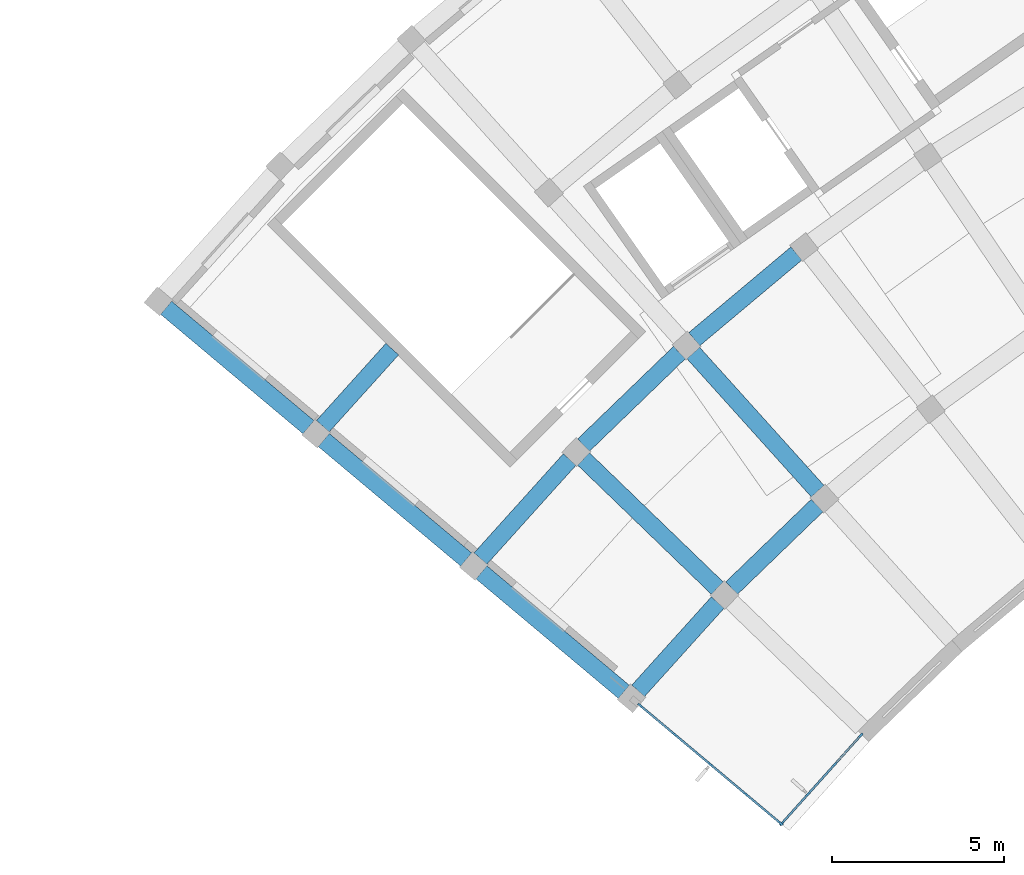
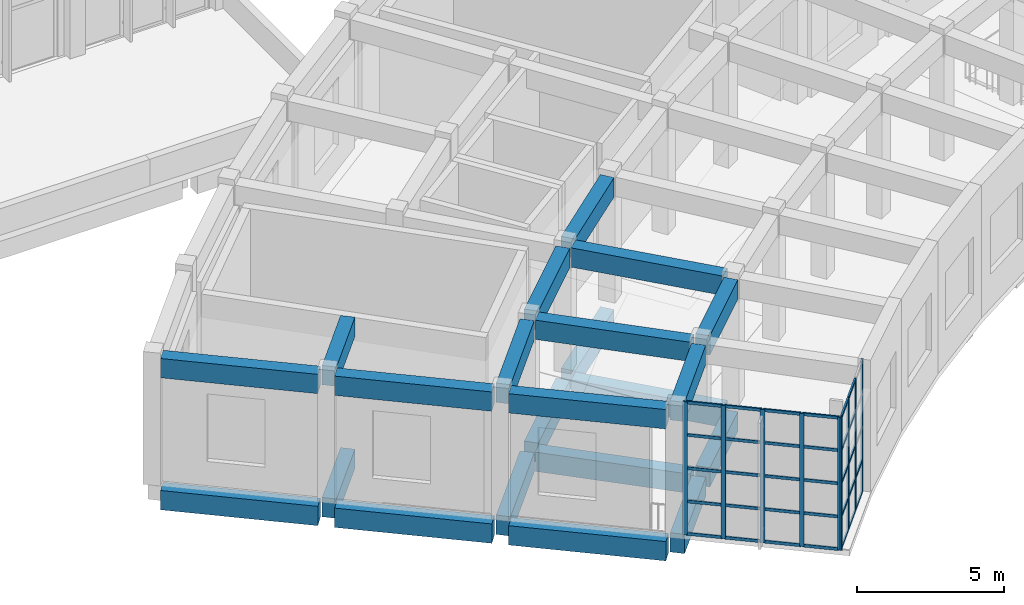
# One storey, part 2 of 94: 41 members, 22 beams, 2 elements without a shape of their own.
"""IFC4 building model written with IfcOpenShell, lengths in metres."""

import ifcopenshell
import ifcopenshell.guid

model = None  # the IFC model being written
_history = None  # IfcOwnerHistory: only IFC2X3 demands one
_inside = {}  # id of a spatial element -> (the spatial element, [elements in it])
_under = {}  # id of a project, library or spatial element -> (it, [spatial elements below it])
_declared = {}  # id of a project -> (the project, [libraries it declares])
_typed = {}  # id of a type object -> (the type object, [elements of that type])
_made_of = {}  # id of a material, layer set ... -> (it, [elements and type objects made of it])


def new_model(schema):
    """Start an empty IFC model of exactly this schema.

    Asked for "IFC4X3", IfcOpenShell would pick the latest addendum, in which some entities
    have other attributes; the version numbers below select the first issue.
    IFC2X3 requires an IfcOwnerHistory on every rooted entity: one is made here for all.
    """
    global model, _history
    if schema == "IFC4X3":
        model = ifcopenshell.file(schema_version=(4, 3, 0, 0))
    else:
        model = ifcopenshell.file(schema=schema)
    _inside.clear()
    _under.clear()
    _declared.clear()
    _typed.clear()
    _made_of.clear()
    _history = None
    if model.schema == "IFC2X3":
        org = make("IfcOrganization", Name="unknown")
        user = make(
            "IfcPersonAndOrganization",
            ThePerson=make("IfcPerson", FamilyName="unknown"),
            TheOrganization=org,
        )
        app = make(
            "IfcApplication",
            ApplicationDeveloper=org,
            Version="unknown",
            ApplicationFullName="unknown",
            ApplicationIdentifier="unknown",
        )
        _history = make(
            "IfcOwnerHistory",
            OwningUser=user,
            OwningApplication=app,
            ChangeAction="ADDED",
            CreationDate=0,
        )
    return model


def make(cls, **values):
    """One entity of the class cls with the attributes given. An attribute that is None is left unset."""
    return model.create_entity(
        cls, **{name: value for name, value in values.items() if value is not None}
    )


def rooted(cls, **values):
    """An entity with a GlobalId (a new one), such as an element, a storey or a relation."""
    return make(cls, GlobalId=ifcopenshell.guid.new(), OwnerHistory=_history, **values)


def si_unit(unit_type, name, prefix=None):
    """IfcSIUnit, for example si_unit("LENGTHUNIT", "METRE", prefix="MILLI")."""
    return make("IfcSIUnit", UnitType=unit_type, Prefix=prefix, Name=name)


def assignment(units):
    """IfcUnitAssignment: the units of a project."""
    return None if units is None else make("IfcUnitAssignment", Units=units)


def point(xyz):
    """IfcCartesianPoint."""
    return None if xyz is None else make("IfcCartesianPoint", Coordinates=xyz)


def direction(xyz):
    """IfcDirection."""
    return None if xyz is None else make("IfcDirection", DirectionRatios=xyz)


def frame(location, z_axis=None, x_axis=None):
    """IfcAxis2Placement3D, a coordinate frame: its origin and axes. An axis left out is left unset."""
    return make(
        "IfcAxis2Placement3D",
        Location=point(location),
        Axis=direction(z_axis),
        RefDirection=direction(x_axis),
    )


def frame_2d(location, x_axis=None):
    """IfcAxis2Placement2D, a coordinate frame in the plane: its origin and x axis."""
    return make(
        "IfcAxis2Placement2D", Location=point(location), RefDirection=direction(x_axis)
    )


def origin():
    """The frame at (0, 0, 0) with its axes left unset."""
    return frame((0.0, 0.0, 0.0))


def origin_2d():
    """The frame at (0, 0) in the plane with its x axis left unset."""
    return frame_2d((0.0, 0.0))


def place(relative_to, where):
    """IfcLocalPlacement: puts the frame where relative to a parent placement (None: the world)."""
    return make(
        "IfcLocalPlacement", PlacementRelTo=relative_to, RelativePlacement=where
    )


def context(
    kind, dimensions, precision=None, world=None, true_north=None, identifier=None
):
    """IfcGeometricRepresentationContext, for example the 3D "Model" context."""
    return make(
        "IfcGeometricRepresentationContext",
        ContextIdentifier=identifier,
        ContextType=kind,
        CoordinateSpaceDimension=dimensions,
        Precision=precision,
        WorldCoordinateSystem=world,
        TrueNorth=true_north,
    )


def subcontext(parent, identifier, kind, view, scale=None):
    """IfcGeometricRepresentationSubContext, for example "Body" below "Model"."""
    return make(
        "IfcGeometricRepresentationSubContext",
        ContextIdentifier=identifier,
        ContextType=kind,
        ParentContext=parent,
        TargetScale=scale,
        TargetView=view,
    )


def project(units=None, contexts=None):
    """IfcProject with its units and contexts."""
    return rooted(
        "IfcProject",
        Name="project",
        RepresentationContexts=contexts,
        UnitsInContext=assignment(units),
    )


def spatial(cls, under=None, at=None, **own):
    """A site, building, storey or space (cls), placed at a placement, below another one or the project."""
    s = rooted(cls, ObjectPlacement=at, **own)
    if under is not None:
        _under.setdefault(under.id(), (under, []))[1].append(s)
    return s


def profile(cls, at=None, kind="AREA", **sizes):
    """A parametric profile (cls). Its sizes go by their IFC names, for example OverallWidth=200.0."""
    return make(cls, ProfileType=kind, Position=at, **sizes)


def rectangle(**sizes):
    """IfcRectangleProfileDef."""
    return profile("IfcRectangleProfileDef", **sizes)


def extrude(swept, where, along, depth):
    """IfcExtrudedAreaSolid: the profile swept, set in the frame where, extruded along a direction by depth."""
    return make(
        "IfcExtrudedAreaSolid",
        SweptArea=swept,
        Position=where,
        ExtrudedDirection=direction(along),
        Depth=depth,
    )


def shape(context_of_items, identifier, shape_type, items):
    """IfcShapeRepresentation: the items that make up one representation, for example the "Body"."""
    return make(
        "IfcShapeRepresentation",
        ContextOfItems=context_of_items,
        RepresentationIdentifier=identifier,
        RepresentationType=shape_type,
        Items=items,
    )


def material(Name=None, Category=None):
    """IfcMaterial."""
    return make("IfcMaterial", Name=Name, Category=Category)


def layer(
    of_material, thickness, ventilated=None, Name=None, Category=None, Priority=None
):
    """IfcMaterialLayer: one layer of a wall or slab, of a material (None: an air gap)."""
    return make(
        "IfcMaterialLayer",
        Material=of_material,
        LayerThickness=thickness,
        IsVentilated=ventilated,
        Name=Name,
        Category=Category,
        Priority=Priority,
    )


def layer_set(layers, Name=None):
    """IfcMaterialLayerSet."""
    return make("IfcMaterialLayerSet", MaterialLayers=layers, LayerSetName=Name)


def material_profile(
    of_material, cross_section, Name=None, Category=None, Priority=None
):
    """IfcMaterialProfile: a cross section and its material."""
    return make(
        "IfcMaterialProfile",
        Name=Name,
        Material=of_material,
        Profile=cross_section,
        Priority=Priority,
        Category=Category,
    )


def profile_set(profiles, Name=None, composite=None):
    """IfcMaterialProfileSet."""
    return make(
        "IfcMaterialProfileSet",
        Name=Name,
        MaterialProfiles=profiles,
        CompositeProfile=composite,
    )


def made_of(thing, what):
    """Note that an element or type object is made of a material, layer set ...; save() writes the relation."""
    if what is not None:
        _made_of.setdefault(what.id(), (what, []))[1].append(thing)
    return thing


def type_object(cls, material=None, **own):
    """A type object (cls), such as IfcWallType, which elements share."""
    return made_of(rooted(cls, **own), material)


def element(
    cls,
    number,
    at=None,
    inside=None,
    cuts=None,
    type_object=None,
    material=None,
    context=None,
    identifier="Body",
    shape_type=None,
    held_by="IfcProductDefinitionShape",
    body=None,
    shapes=None,
    **own,
):
    """One element of the class cls, such as IfcWall. Its Tag is "e" and its number.

    at: its placement. inside: the storey or other place that contains it. cuts: it is an
    opening in that element (IfcRelVoidsElement). A single representation is given by context,
    identifier, shape_type and body (its items); several are given by shapes. held_by: the class
    of the entity that holds the representations. save() writes the other relations.
    """
    e = rooted(cls, Tag="e%d" % number, ObjectPlacement=at, **own)
    if body is not None:
        shapes = [shape(context, identifier, shape_type, body)]
    if shapes is not None:
        e.Representation = make(held_by, Representations=shapes)
    if inside is not None:
        _inside.setdefault(inside.id(), (inside, []))[1].append(e)
    if cuts is not None:
        rooted(
            "IfcRelVoidsElement", RelatingBuildingElement=cuts, RelatedOpeningElement=e
        )
    if type_object is not None:
        _typed.setdefault(type_object.id(), (type_object, []))[1].append(e)
    return made_of(e, material)


def aggregate(whole, parts):
    """IfcRelAggregates: a whole, such as a stair, and the parts it consists of."""
    return rooted("IfcRelAggregates", RelatingObject=whole, RelatedObjects=parts)


def save(model, path):
    """Write the relations noted so far, then the file.

    IfcRelAggregates (storeys below a building ...), IfcRelContainedInSpatialStructure (elements
    in a storey), IfcRelDefinesByType, IfcRelAssociatesMaterial and IfcRelDeclares: one each for
    every whole, place, type object, material and project.
    """
    for whole, parts in _under.values():
        aggregate(whole, parts)
    for where, things in _inside.values():
        rooted(
            "IfcRelContainedInSpatialStructure",
            RelatedElements=things,
            RelatingStructure=where,
        )
    for kind, things in _typed.values():
        rooted("IfcRelDefinesByType", RelatedObjects=things, RelatingType=kind)
    for what, things in _made_of.values():
        rooted("IfcRelAssociatesMaterial", RelatedObjects=things, RelatingMaterial=what)
    for by, libraries in _declared.values():
        rooted("IfcRelDeclares", RelatingContext=by, RelatedDefinitions=libraries)
    model.write(path)


model = new_model("IFC4")

# Units and contexts
model_context = context("Model", 3, precision=1e-05, world=origin(), true_north=direction((0.0, 1.0)))
body_context = subcontext(model_context, "Body", "Model", "MODEL_VIEW")
ifc_project = project(units=[si_unit("LENGTHUNIT", "METRE"), si_unit("AREAUNIT", "SQUARE_METRE"), si_unit("VOLUMEUNIT", "CUBIC_METRE"), si_unit("PLANEANGLEUNIT", "RADIAN"), si_unit("MASSUNIT", "GRAM", prefix="KILO")], contexts=[model_context])

# Site, building, storey
site_placement = place(None, origin())
site = spatial("IfcSite", under=ifc_project, at=site_placement, CompositionType="ELEMENT")
building_placement = place(site_placement, origin())
building = spatial("IfcBuilding", under=site, at=building_placement, Name="Lunette Opera House", CompositionType="ELEMENT")
storey_placement = place(building_placement, frame((0.0, 0.0, 22.5)))
storey = spatial("IfcBuildingStorey", under=building, at=storey_placement, Name="L04", CompositionType="ELEMENT", Elevation=22.5)

# Curtain wall, members
ifc_material_1 = material(Name="Aluminium", Category="aluminium")
ifc_layer = layer(ifc_material_1, 0.159912109375)
ifc_layer_set = layer_set([ifc_layer], Name="Aluminium")
curtain_wall_type = type_object("IfcCurtainWallType", Name="CORNER CURTAIN WALL", PredefinedType="NOTDEFINED", material=ifc_layer_set)
curtain_wall_1_placement = place(storey_placement, origin())
curtain_wall_1 = element("IfcCurtainWall", 1, at=curtain_wall_1_placement, inside=storey, type_object=curtain_wall_type, Name="Corner Curtain Wall GC-W1 L04", PredefinedType="NOTDEFINED")
ifc_material_2 = material(Name="Aluminium", Category="aluminium")
ifc_material_profile_1 = material_profile(ifc_material_2, rectangle(XDim=0.06005859375, YDim=0.159912109375, at=origin_2d()), Name="MULLION 60 X 160")
ifc_profile_set_1 = profile_set([ifc_material_profile_1], Name="Aluminium")
member_type_1 = type_object("IfcMemberType", Name="MULLION 60 X 160", PredefinedType="MULLION", material=ifc_profile_set_1)
member_1_placement = place(storey_placement, frame((58.25390625, 36.20068359375, 0.0), z_axis=(0.0, 0.0, 1.0), x_axis=(0.744216793887, -0.667938143615, 0.0)))
member_1 = element("IfcMember", 2, at=member_1_placement, type_object=member_type_1, Name="FC-X2169 mullion 1", PredefinedType="MULLION", context=body_context, shape_type="SweptSolid", body=[
    extrude(rectangle(XDim=0.06005859375, YDim=0.159912109375, at=origin_2d()), origin(), (0.0, 0.0, 1.0), 5.5),
])
member_2_placement = place(storey_placement, frame((57.49462890625, 35.354736328125, 0.0), z_axis=(0.0, 0.0, 1.0), x_axis=(0.744216793887, -0.667938143615, 0.0)))
member_2 = element("IfcMember", 3, at=member_2_placement, type_object=member_type_1, Name="FC-X2169 mullion 2", PredefinedType="MULLION", context=body_context, shape_type="SweptSolid", body=[
    extrude(rectangle(XDim=0.06005859375, YDim=0.159912109375, at=origin_2d()), origin(), (0.0, 0.0, 1.0), 5.5),
])
member_3_placement = place(storey_placement, frame((56.71533203125, 34.486328125, 0.0), z_axis=(0.0, 0.0, 1.0), x_axis=(0.744216793887, -0.667938143615, 0.0)))
member_3 = element("IfcMember", 4, at=member_3_placement, type_object=member_type_1, Name="FC-X2169 mullion 3", PredefinedType="MULLION", context=body_context, shape_type="SweptSolid", body=[
    extrude(rectangle(XDim=0.06005859375, YDim=0.159912109375, at=origin_2d()), origin(), (0.0, 0.0, 1.0), 5.5),
])
member_4_placement = place(storey_placement, frame((55.9560546875, 33.640380859375, 0.0), z_axis=(0.0, 0.0, 1.0), x_axis=(0.744216793887, -0.667938143615, 0.0)))
member_4 = element("IfcMember", 5, at=member_4_placement, type_object=member_type_1, Name="FC-X2169 mullion 4", PredefinedType="MULLION", context=body_context, shape_type="SweptSolid", body=[
    extrude(rectangle(XDim=0.06005859375, YDim=0.159912109375, at=origin_2d()), origin(), (0.0, 0.0, 1.0), 5.5),
])

curtain_wall_2_placement = place(storey_placement, origin())
curtain_wall_2 = element("IfcCurtainWall", 6, at=curtain_wall_2_placement, inside=storey, type_object=curtain_wall_type, Name="Corner Curtain Wall GC-W2 L04", PredefinedType="NOTDEFINED")
member_5_placement = place(storey_placement, frame((55.9130859375, 33.63720703125, 0.0), z_axis=(0.0, 0.0, 1.0), x_axis=(-0.642840201999, -0.766000309852, 0.0)))
member_5 = element("IfcMember", 7, at=member_5_placement, type_object=member_type_1, Name="FC-X2170 mullion 1", PredefinedType="MULLION", context=body_context, shape_type="SweptSolid", body=[
    extrude(rectangle(XDim=0.06005859375, YDim=0.159912109375, at=origin_2d()), origin(), (0.0, 0.0, 1.0), 5.5),
])
member_6_placement = place(storey_placement, frame((54.902099609375, 34.48583984375, 0.0), z_axis=(0.0, 0.0, 1.0), x_axis=(-0.642840201999, -0.766000309852, 0.0)))
member_6 = element("IfcMember", 8, at=member_6_placement, type_object=member_type_1, Name="FC-X2170 mullion 2", PredefinedType="MULLION", context=body_context, shape_type="SweptSolid", body=[
    extrude(rectangle(XDim=0.06005859375, YDim=0.159912109375, at=origin_2d()), origin(), (0.0, 0.0, 1.0), 5.5),
])
member_7_placement = place(storey_placement, frame((53.867919921875, 35.353515625, 0.0), z_axis=(0.0, 0.0, 1.0), x_axis=(-0.642840201999, -0.766000309852, 0.0)))
member_7 = element("IfcMember", 9, at=member_7_placement, type_object=member_type_1, Name="FC-X2170 mullion 3", PredefinedType="MULLION", context=body_context, shape_type="SweptSolid", body=[
    extrude(rectangle(XDim=0.06005859375, YDim=0.159912109375, at=origin_2d()), origin(), (0.0, 0.0, 1.0), 5.5),
])
member_8_placement = place(storey_placement, frame((52.833984375, 36.22119140625, 0.0), z_axis=(0.0, 0.0, 1.0), x_axis=(-0.642840201999, -0.766000309852, 0.0)))
member_8 = element("IfcMember", 10, at=member_8_placement, type_object=member_type_1, Name="FC-X2170 mullion 4", PredefinedType="MULLION", context=body_context, shape_type="SweptSolid", body=[
    extrude(rectangle(XDim=0.06005859375, YDim=0.159912109375, at=origin_2d()), origin(), (0.0, 0.0, 1.0), 5.5),
])
member_9_placement = place(storey_placement, frame((51.822998046875, 37.06982421875, 0.0), z_axis=(0.0, 0.0, 1.0), x_axis=(-0.642840201999, -0.766000309852, 0.0)))
member_9 = element("IfcMember", 11, at=member_9_placement, type_object=member_type_1, Name="FC-X2170 mullion 5", PredefinedType="MULLION", context=body_context, shape_type="SweptSolid", body=[
    extrude(rectangle(XDim=0.06005859375, YDim=0.159912109375, at=origin_2d()), origin(), (0.0, 0.0, 1.0), 5.5),
])

# Beams
ifc_material_3 = material(Name="Concrete C35/45", Category="concrete")
ifc_material_profile_2 = material_profile(ifc_material_3, rectangle(XDim=0.5, YDim=0.800048828125, at=origin_2d()), Name="RC BEAM 500X800")
ifc_profile_set_2 = profile_set([ifc_material_profile_2], Name="Concrete C35/45")
beam_type = type_object("IfcBeamType", Name="RC BEAM 500X800", PredefinedType="BEAM", material=ifc_profile_set_2)
beam_1_placement = place(storey_placement, frame((51.346923828125, 37.468017578125, -0.6201171875), z_axis=(-0.766038417281, 0.642794790932, 0.0), x_axis=(-0.642794790932, -0.766038417281, 0.0)))
element("IfcBeam", 12, at=beam_1_placement, inside=storey, type_object=beam_type, Name="beam-FC-L04-L04-RB-RL-01-2", PredefinedType="BEAM", context=body_context, shape_type="SweptSolid", body=[
    extrude(rectangle(XDim=0.5, YDim=0.800048828125, at=origin_2d()), origin(), (0.0, 0.0, 1.0), 5.419921875),
])
beam_2_placement = place(storey_placement, frame((46.7509765625, 41.324951171875, -0.6201171875), z_axis=(-0.76601623697, 0.642821222968, 0.0), x_axis=(-0.642821222968, -0.76601623697, 0.0)))
element("IfcBeam", 13, at=beam_2_placement, inside=storey, type_object=beam_type, Name="beam-FC-L04-L04-RB-RL-01-3", PredefinedType="BEAM", context=body_context, shape_type="SweptSolid", body=[
    extrude(rectangle(XDim=0.5, YDim=0.800048828125, at=origin_2d()), origin(), (0.0, 0.0, 1.0), 5.420166015625),
])
beam_3_placement = place(storey_placement, frame((42.155029296875, 45.181884765625, -0.6201171875), z_axis=(-0.766123568509, 0.64269329993, 0.0), x_axis=(-0.64269329993, -0.766123568509, 0.0)))
element("IfcBeam", 14, at=beam_3_placement, inside=storey, type_object=beam_type, Name="beam-FC-L04-L04-RB-RL-01-4", PredefinedType="BEAM", context=body_context, shape_type="SweptSolid", body=[
    extrude(rectangle(XDim=0.5, YDim=0.800048828125, at=origin_2d()), origin(), (0.0, 0.0, 1.0), 5.419677734375),
])
beam_4_placement = place(storey_placement, frame((54.070068359375, 40.491943359375, -0.6201171875), z_axis=(-0.719362654248, 0.694634703764, 0.0), x_axis=(-0.694634703764, -0.719362654248, 0.0)))
element("IfcBeam", 15, at=beam_4_placement, inside=storey, type_object=beam_type, Name="beam-FC-L04-L04-RB-RL-02-2", PredefinedType="BEAM", context=body_context, shape_type="SweptSolid", body=[
    extrude(rectangle(XDim=0.5, YDim=0.800048828125, at=origin_2d()), origin(), (0.0, 0.0, 1.0), 5.42041015625),
])
beam_5_placement = place(storey_placement, frame((56.99609375, 43.318115234375, -0.6201171875), z_axis=(-0.669059303024, 0.743209021095, 0.0), x_axis=(-0.743209021095, -0.669059303024, 0.0)))
element("IfcBeam", 16, at=beam_5_placement, inside=storey, type_object=beam_type, Name="beam-FC-L04-L04-RB-RL-03-2", PredefinedType="BEAM", context=body_context, shape_type="SweptSolid", body=[
    extrude(rectangle(XDim=0.5, YDim=0.800048828125, at=origin_2d()), origin(), (0.0, 0.0, 1.0), 5.41943359375),
])
beam_6_placement = place(storey_placement, frame((51.762939453125, 37.498046875, -0.6201171875), z_axis=(0.66939642039, 0.742905399341, 0.0), x_axis=(-0.742905399341, 0.66939642039, 0.0)))
element("IfcBeam", 17, at=beam_6_placement, inside=storey, type_object=beam_type, Name="beam-FC-L04-L04-RG-AR-M1-RL-01", PredefinedType="BEAM", context=body_context, shape_type="SweptSolid", body=[
    extrude(rectangle(XDim=0.5, YDim=0.800048828125, at=origin_2d()), origin(), (0.0, 0.0, 1.0), 3.46728515625),
])
beam_7_placement = place(storey_placement, frame((54.487060546875, 40.491943359375, -0.6201171875), z_axis=(0.719392966206, 0.694603311375, 0.0), x_axis=(-0.694603311375, 0.719392966206, 0.0)))
element("IfcBeam", 18, at=beam_7_placement, inside=storey, type_object=beam_type, Name="beam-FC-L04-L04-RG-AR-M1-RL-02", PredefinedType="BEAM", context=body_context, shape_type="SweptSolid", body=[
    extrude(rectangle(XDim=0.5, YDim=0.800048828125, at=origin_2d()), origin(), (0.0, 0.0, 1.0), 3.466552734375),
])
beam_8_placement = place(storey_placement, frame((47.1669921875, 41.35400390625, -0.6201171875), z_axis=(0.669238854245, 0.743047344365, 0.0), x_axis=(-0.743047344365, 0.669238854245, 0.0)))
element("IfcBeam", 19, at=beam_8_placement, inside=storey, type_object=beam_type, Name="beam-FC-L04-L04-RG-AR-B-RL-01", PredefinedType="BEAM", context=body_context, shape_type="SweptSolid", body=[
    extrude(rectangle(XDim=0.5, YDim=0.800048828125, at=origin_2d()), origin(), (0.0, 0.0, 1.0), 3.88671875),
])
beam_9_placement = place(storey_placement, frame((50.1708984375, 44.659912109375, -0.6201171875), z_axis=(0.719497793306, 0.694494726709, 0.0), x_axis=(-0.694494726709, 0.719497793306, 0.0)))
element("IfcBeam", 20, at=beam_9_placement, inside=storey, type_object=beam_type, Name="beam-FC-L04-L04-RG-AR-B-RL-02", PredefinedType="BEAM", context=body_context, shape_type="SweptSolid", body=[
    extrude(rectangle(XDim=0.5, YDim=0.800048828125, at=origin_2d()), origin(), (0.0, 0.0, 1.0), 3.88623046875),
])
beam_10_placement = place(storey_placement, frame((53.39794921875, 47.748046875, -0.6201171875), z_axis=(0.76614764774, 0.642664595153, 0.0), x_axis=(-0.642664595153, 0.76614764774, 0.0)))
element("IfcBeam", 21, at=beam_10_placement, inside=storey, type_object=beam_type, Name="beam-FC-L04-L04-RG-AR-B-RL-03", PredefinedType="BEAM", context=body_context, shape_type="SweptSolid", body=[
    extrude(rectangle(XDim=0.5, YDim=0.800048828125, at=origin_2d()), origin(), (0.0, 0.0, 1.0), 3.886962890625),
])
beam_11_placement = place(storey_placement, frame((42.571044921875, 45.2109375, -0.6201171875), z_axis=(0.66908957812, 0.743181765419, 0.0), x_axis=(-0.743181765419, 0.66908957812, 0.0)))
element("IfcBeam", 22, at=beam_11_placement, inside=storey, type_object=beam_type, Name="beam-FC-L04-L04-RG-AR-M2-RL-01", PredefinedType="BEAM", context=body_context, shape_type="SweptSolid", body=[
    extrude(rectangle(XDim=0.5, YDim=0.800048828125, at=origin_2d()), origin(), (0.0, 0.0, 1.0), 3.02490234375),
])
beam_12_placement = place(storey_placement, frame((51.346923828125, 37.468017578125, 4.85009765625), z_axis=(-0.766038417281, 0.642794790932, 0.0), x_axis=(-0.642794790932, -0.766038417281, 0.0)))
element("IfcBeam", 23, at=beam_12_placement, inside=storey, type_object=beam_type, Name="beam-FC-L04-RF-RB-RL-01-2", PredefinedType="BEAM", context=body_context, shape_type="SweptSolid", body=[
    extrude(rectangle(XDim=0.5, YDim=0.800048828125, at=origin_2d()), origin(), (0.0, 0.0, 1.0), 5.419921875),
])
beam_13_placement = place(storey_placement, frame((46.7509765625, 41.324951171875, 4.85009765625), z_axis=(-0.76601623697, 0.642821222968, 0.0), x_axis=(-0.642821222968, -0.76601623697, 0.0)))
element("IfcBeam", 24, at=beam_13_placement, inside=storey, type_object=beam_type, Name="beam-FC-L04-RF-RB-RL-01-3", PredefinedType="BEAM", context=body_context, shape_type="SweptSolid", body=[
    extrude(rectangle(XDim=0.5, YDim=0.800048828125, at=origin_2d()), origin(), (0.0, 0.0, 1.0), 5.420166015625),
])
beam_14_placement = place(storey_placement, frame((42.155029296875, 45.181884765625, 4.85009765625), z_axis=(-0.766123568509, 0.64269329993, 0.0), x_axis=(-0.64269329993, -0.766123568509, 0.0)))
element("IfcBeam", 25, at=beam_14_placement, inside=storey, type_object=beam_type, Name="beam-FC-L04-RF-RB-RL-01-4", PredefinedType="BEAM", context=body_context, shape_type="SweptSolid", body=[
    extrude(rectangle(XDim=0.5, YDim=0.800048828125, at=origin_2d()), origin(), (0.0, 0.0, 1.0), 5.419677734375),
])
beam_15_placement = place(storey_placement, frame((54.070068359375, 40.491943359375, 4.85009765625), z_axis=(-0.719362654248, 0.694634703764, 0.0), x_axis=(-0.694634703764, -0.719362654248, 0.0)))
element("IfcBeam", 26, at=beam_15_placement, inside=storey, type_object=beam_type, Name="beam-FC-L04-RF-RB-RL-02-2", PredefinedType="BEAM", context=body_context, shape_type="SweptSolid", body=[
    extrude(rectangle(XDim=0.5, YDim=0.800048828125, at=origin_2d()), origin(), (0.0, 0.0, 1.0), 5.42041015625),
])
beam_16_placement = place(storey_placement, frame((56.99609375, 43.318115234375, 4.85009765625), z_axis=(-0.669059303024, 0.743209021095, 0.0), x_axis=(-0.743209021095, -0.669059303024, 0.0)))
element("IfcBeam", 27, at=beam_16_placement, inside=storey, type_object=beam_type, Name="beam-FC-L04-RF-RB-RL-03-2", PredefinedType="BEAM", context=body_context, shape_type="SweptSolid", body=[
    extrude(rectangle(XDim=0.5, YDim=0.800048828125, at=origin_2d()), origin(), (0.0, 0.0, 1.0), 5.41943359375),
])
beam_17_placement = place(storey_placement, frame((51.762939453125, 37.498046875, 4.85009765625), z_axis=(0.66939642039, 0.742905399341, 0.0), x_axis=(-0.742905399341, 0.66939642039, 0.0)))
element("IfcBeam", 28, at=beam_17_placement, inside=storey, type_object=beam_type, Name="beam-FC-L04-RF-RG-AR-M1-RL-01", PredefinedType="BEAM", context=body_context, shape_type="SweptSolid", body=[
    extrude(rectangle(XDim=0.5, YDim=0.800048828125, at=origin_2d()), origin(), (0.0, 0.0, 1.0), 3.46728515625),
])
beam_18_placement = place(storey_placement, frame((54.487060546875, 40.491943359375, 4.85009765625), z_axis=(0.719392966206, 0.694603311375, 0.0), x_axis=(-0.694603311375, 0.719392966206, 0.0)))
element("IfcBeam", 29, at=beam_18_placement, inside=storey, type_object=beam_type, Name="beam-FC-L04-RF-RG-AR-M1-RL-02", PredefinedType="BEAM", context=body_context, shape_type="SweptSolid", body=[
    extrude(rectangle(XDim=0.5, YDim=0.800048828125, at=origin_2d()), origin(), (0.0, 0.0, 1.0), 3.466552734375),
])
beam_19_placement = place(storey_placement, frame((47.1669921875, 41.35400390625, 4.85009765625), z_axis=(0.669238854245, 0.743047344365, 0.0), x_axis=(-0.743047344365, 0.669238854245, 0.0)))
element("IfcBeam", 30, at=beam_19_placement, inside=storey, type_object=beam_type, Name="beam-FC-L04-RF-RG-AR-B-RL-01", PredefinedType="BEAM", context=body_context, shape_type="SweptSolid", body=[
    extrude(rectangle(XDim=0.5, YDim=0.800048828125, at=origin_2d()), origin(), (0.0, 0.0, 1.0), 3.88671875),
])
beam_20_placement = place(storey_placement, frame((50.1708984375, 44.659912109375, 4.85009765625), z_axis=(0.719497793306, 0.694494726709, 0.0), x_axis=(-0.694494726709, 0.719497793306, 0.0)))
element("IfcBeam", 31, at=beam_20_placement, inside=storey, type_object=beam_type, Name="beam-FC-L04-RF-RG-AR-B-RL-02", PredefinedType="BEAM", context=body_context, shape_type="SweptSolid", body=[
    extrude(rectangle(XDim=0.5, YDim=0.800048828125, at=origin_2d()), origin(), (0.0, 0.0, 1.0), 3.88623046875),
])
beam_21_placement = place(storey_placement, frame((53.39794921875, 47.748046875, 4.85009765625), z_axis=(0.76614764774, 0.642664595153, 0.0), x_axis=(-0.642664595153, 0.76614764774, 0.0)))
element("IfcBeam", 32, at=beam_21_placement, inside=storey, type_object=beam_type, Name="beam-FC-L04-RF-RG-AR-B-RL-03", PredefinedType="BEAM", context=body_context, shape_type="SweptSolid", body=[
    extrude(rectangle(XDim=0.5, YDim=0.800048828125, at=origin_2d()), origin(), (0.0, 0.0, 1.0), 3.886962890625),
])
beam_22_placement = place(storey_placement, frame((42.571044921875, 45.2109375, 4.85009765625), z_axis=(0.66908957812, 0.743181765419, 0.0), x_axis=(-0.743181765419, 0.66908957812, 0.0)))
element("IfcBeam", 33, at=beam_22_placement, inside=storey, type_object=beam_type, Name="beam-FC-L04-RF-RG-AR-M2-RL-01", PredefinedType="BEAM", context=body_context, shape_type="SweptSolid", body=[
    extrude(rectangle(XDim=0.5, YDim=0.800048828125, at=origin_2d()), origin(), (0.0, 0.0, 1.0), 3.02490234375),
])

# Member
ifc_material_4 = material(Name="Aluminium", Category="aluminium")
ifc_material_profile_3 = material_profile(ifc_material_4, rectangle(XDim=0.06005859375, YDim=0.1201171875, at=origin_2d()), Name="TRANSOM 60 X 120")
ifc_profile_set_3 = profile_set([ifc_material_profile_3], Name="Aluminium")
member_type_2 = type_object("IfcMemberType", Name="TRANSOM 60 X 120", PredefinedType="USERDEFINED", material=ifc_profile_set_3)
member_10_placement = place(storey_placement, frame((58.23388671875, 36.178466796875, 0.030029296875), z_axis=(-0.667874323451, -0.744274067851, 0.0), x_axis=(0.744274067851, -0.667874323451, 0.0)))
member_10 = element("IfcMember", 34, at=member_10_placement, type_object=member_type_2, Name="FC-X2169 transom 1.1", ObjectType="TRANSOM", PredefinedType="USERDEFINED", context=body_context, shape_type="SweptSolid", body=[
    extrude(rectangle(XDim=0.06005859375, YDim=0.1201171875, at=origin_2d()), origin(), (0.0, 0.0, 1.0), 1.076904296875),
])

member_11_placement = place(storey_placement, frame((58.23388671875, 36.178466796875, 1.375), z_axis=(-0.667874323451, -0.744274067851, 0.0), x_axis=(0.744274067851, -0.667874323451, 0.0)))
member_11 = element("IfcMember", 35, at=member_11_placement, type_object=member_type_2, Name="FC-X2169 transom 1.2", ObjectType="TRANSOM", PredefinedType="USERDEFINED", context=body_context, shape_type="SweptSolid", body=[
    extrude(rectangle(XDim=0.06005859375, YDim=0.1201171875, at=origin_2d()), origin(), (0.0, 0.0, 1.0), 1.076904296875),
])

member_12_placement = place(storey_placement, frame((57.474609375, 35.332275390625, 0.030029296875), z_axis=(-0.667916007316, -0.744236660728, 0.0), x_axis=(0.744236660728, -0.667916007316, 0.0)))
member_12 = element("IfcMember", 36, at=member_12_placement, type_object=member_type_2, Name="FC-X2169 transom 2.1", ObjectType="TRANSOM", PredefinedType="USERDEFINED", context=body_context, shape_type="SweptSolid", body=[
    extrude(rectangle(XDim=0.06005859375, YDim=0.1201171875, at=origin_2d()), origin(), (0.0, 0.0, 1.0), 1.10693359375),
])

member_13_placement = place(storey_placement, frame((57.474609375, 35.332275390625, 1.375), z_axis=(-0.667916007316, -0.744236660728, 0.0), x_axis=(0.744236660728, -0.667916007316, 0.0)))
member_13 = element("IfcMember", 37, at=member_13_placement, type_object=member_type_2, Name="FC-X2169 transom 2.2", ObjectType="TRANSOM", PredefinedType="USERDEFINED", context=body_context, shape_type="SweptSolid", body=[
    extrude(rectangle(XDim=0.06005859375, YDim=0.1201171875, at=origin_2d()), origin(), (0.0, 0.0, 1.0), 1.10693359375),
])

member_14_placement = place(storey_placement, frame((57.474609375, 35.332275390625, 2.75), z_axis=(-0.667916007316, -0.744236660728, 0.0), x_axis=(0.744236660728, -0.667916007316, 0.0)))
member_14 = element("IfcMember", 38, at=member_14_placement, type_object=member_type_2, Name="FC-X2169 transom 2.3", ObjectType="TRANSOM", PredefinedType="USERDEFINED", context=body_context, shape_type="SweptSolid", body=[
    extrude(rectangle(XDim=0.06005859375, YDim=0.1201171875, at=origin_2d()), origin(), (0.0, 0.0, 1.0), 1.10693359375),
])

member_15_placement = place(storey_placement, frame((57.474609375, 35.332275390625, 4.125), z_axis=(-0.667916007316, -0.744236660728, 0.0), x_axis=(0.744236660728, -0.667916007316, 0.0)))
member_15 = element("IfcMember", 39, at=member_15_placement, type_object=member_type_2, Name="FC-X2169 transom 2.4", ObjectType="TRANSOM", PredefinedType="USERDEFINED", context=body_context, shape_type="SweptSolid", body=[
    extrude(rectangle(XDim=0.06005859375, YDim=0.1201171875, at=origin_2d()), origin(), (0.0, 0.0, 1.0), 1.10693359375),
])

member_16_placement = place(storey_placement, frame((57.474609375, 35.332275390625, 5.469970703125), z_axis=(-0.667916007316, -0.744236660728, 0.0), x_axis=(0.744236660728, -0.667916007316, 0.0)))
member_16 = element("IfcMember", 40, at=member_16_placement, type_object=member_type_2, Name="FC-X2169 transom 2.5", ObjectType="TRANSOM", PredefinedType="USERDEFINED", context=body_context, shape_type="SweptSolid", body=[
    extrude(rectangle(XDim=0.06005859375, YDim=0.1201171875, at=origin_2d()), origin(), (0.0, 0.0, 1.0), 1.10693359375),
])

member_17_placement = place(storey_placement, frame((56.6953125, 34.464111328125, 0.030029296875), z_axis=(-0.667874323451, -0.744274067851, 0.0), x_axis=(0.744274067851, -0.667874323451, 0.0)))
member_17 = element("IfcMember", 41, at=member_17_placement, type_object=member_type_2, Name="FC-X2169 transom 3.1", ObjectType="TRANSOM", PredefinedType="USERDEFINED", context=body_context, shape_type="SweptSolid", body=[
    extrude(rectangle(XDim=0.06005859375, YDim=0.1201171875, at=origin_2d()), origin(), (0.0, 0.0, 1.0), 1.076904296875),
])

member_18_placement = place(storey_placement, frame((56.6953125, 34.464111328125, 1.375), z_axis=(-0.667874323451, -0.744274067851, 0.0), x_axis=(0.744274067851, -0.667874323451, 0.0)))
member_18 = element("IfcMember", 42, at=member_18_placement, type_object=member_type_2, Name="FC-X2169 transom 3.2", ObjectType="TRANSOM", PredefinedType="USERDEFINED", context=body_context, shape_type="SweptSolid", body=[
    extrude(rectangle(XDim=0.06005859375, YDim=0.1201171875, at=origin_2d()), origin(), (0.0, 0.0, 1.0), 1.076904296875),
])

member_19_placement = place(storey_placement, frame((56.6953125, 34.464111328125, 2.75), z_axis=(-0.667874323451, -0.744274067851, 0.0), x_axis=(0.744274067851, -0.667874323451, 0.0)))
member_19 = element("IfcMember", 43, at=member_19_placement, type_object=member_type_2, Name="FC-X2169 transom 3.3", ObjectType="TRANSOM", PredefinedType="USERDEFINED", context=body_context, shape_type="SweptSolid", body=[
    extrude(rectangle(XDim=0.06005859375, YDim=0.1201171875, at=origin_2d()), origin(), (0.0, 0.0, 1.0), 1.076904296875),
])

member_20_placement = place(storey_placement, frame((56.6953125, 34.464111328125, 4.125), z_axis=(-0.667874323451, -0.744274067851, 0.0), x_axis=(0.744274067851, -0.667874323451, 0.0)))
member_20 = element("IfcMember", 44, at=member_20_placement, type_object=member_type_2, Name="FC-X2169 transom 3.4", ObjectType="TRANSOM", PredefinedType="USERDEFINED", context=body_context, shape_type="SweptSolid", body=[
    extrude(rectangle(XDim=0.06005859375, YDim=0.1201171875, at=origin_2d()), origin(), (0.0, 0.0, 1.0), 1.076904296875),
])

member_21_placement = place(storey_placement, frame((56.6953125, 34.464111328125, 5.469970703125), z_axis=(-0.667874323451, -0.744274067851, 0.0), x_axis=(0.744274067851, -0.667874323451, 0.0)))
member_21 = element("IfcMember", 45, at=member_21_placement, type_object=member_type_2, Name="FC-X2169 transom 3.5", ObjectType="TRANSOM", PredefinedType="USERDEFINED", context=body_context, shape_type="SweptSolid", body=[
    extrude(rectangle(XDim=0.06005859375, YDim=0.1201171875, at=origin_2d()), origin(), (0.0, 0.0, 1.0), 1.076904296875),
])

aggregate(curtain_wall_1, [member_1, member_2, member_3, member_4, member_10, member_11, member_12, member_13, member_14, member_15, member_16, member_17, member_18, member_19, member_20, member_21])

member_22_placement = place(storey_placement, frame((55.89013671875, 33.656494140625, 0.030029296875), z_axis=(-0.765945288288, 0.642905759307, 0.0), x_axis=(-0.642905759307, -0.765945288288, 0.0)))
member_22 = element("IfcMember", 46, at=member_22_placement, type_object=member_type_2, Name="FC-X2170 transom 1.1", ObjectType="TRANSOM", PredefinedType="USERDEFINED", context=body_context, shape_type="SweptSolid", body=[
    extrude(rectangle(XDim=0.06005859375, YDim=0.1201171875, at=origin_2d()), origin(), (0.0, 0.0, 1.0), 1.260009765625),
])

member_23_placement = place(storey_placement, frame((55.89013671875, 33.656494140625, 1.375), z_axis=(-0.765945288288, 0.642905759307, 0.0), x_axis=(-0.642905759307, -0.765945288288, 0.0)))
member_23 = element("IfcMember", 47, at=member_23_placement, type_object=member_type_2, Name="FC-X2170 transom 1.2", ObjectType="TRANSOM", PredefinedType="USERDEFINED", context=body_context, shape_type="SweptSolid", body=[
    extrude(rectangle(XDim=0.06005859375, YDim=0.1201171875, at=origin_2d()), origin(), (0.0, 0.0, 1.0), 1.260009765625),
])

member_24_placement = place(storey_placement, frame((55.89013671875, 33.656494140625, 2.75), z_axis=(-0.765945288288, 0.642905759307, 0.0), x_axis=(-0.642905759307, -0.765945288288, 0.0)))
member_24 = element("IfcMember", 48, at=member_24_placement, type_object=member_type_2, Name="FC-X2170 transom 1.3", ObjectType="TRANSOM", PredefinedType="USERDEFINED", context=body_context, shape_type="SweptSolid", body=[
    extrude(rectangle(XDim=0.06005859375, YDim=0.1201171875, at=origin_2d()), origin(), (0.0, 0.0, 1.0), 1.260009765625),
])

member_25_placement = place(storey_placement, frame((55.89013671875, 33.656494140625, 4.125), z_axis=(-0.765945288288, 0.642905759307, 0.0), x_axis=(-0.642905759307, -0.765945288288, 0.0)))
member_25 = element("IfcMember", 49, at=member_25_placement, type_object=member_type_2, Name="FC-X2170 transom 1.4", ObjectType="TRANSOM", PredefinedType="USERDEFINED", context=body_context, shape_type="SweptSolid", body=[
    extrude(rectangle(XDim=0.06005859375, YDim=0.1201171875, at=origin_2d()), origin(), (0.0, 0.0, 1.0), 1.260009765625),
])

member_26_placement = place(storey_placement, frame((55.89013671875, 33.656494140625, 5.469970703125), z_axis=(-0.765945288288, 0.642905759307, 0.0), x_axis=(-0.642905759307, -0.765945288288, 0.0)))
member_26 = element("IfcMember", 50, at=member_26_placement, type_object=member_type_2, Name="FC-X2170 transom 1.5", ObjectType="TRANSOM", PredefinedType="USERDEFINED", context=body_context, shape_type="SweptSolid", body=[
    extrude(rectangle(XDim=0.06005859375, YDim=0.1201171875, at=origin_2d()), origin(), (0.0, 0.0, 1.0), 1.260009765625),
])

member_27_placement = place(storey_placement, frame((54.87890625, 34.505126953125, 0.030029296875), z_axis=(-0.76602917681, 0.642805802927, 0.0), x_axis=(-0.642805802927, -0.76602917681, 0.0)))
member_27 = element("IfcMember", 51, at=member_27_placement, type_object=member_type_2, Name="FC-X2170 transom 2.1", ObjectType="TRANSOM", PredefinedType="USERDEFINED", context=body_context, shape_type="SweptSolid", body=[
    extrude(rectangle(XDim=0.06005859375, YDim=0.1201171875, at=origin_2d()), origin(), (0.0, 0.0, 1.0), 1.289794921875),
])

member_28_placement = place(storey_placement, frame((54.87890625, 34.505126953125, 1.375), z_axis=(-0.76602917681, 0.642805802927, 0.0), x_axis=(-0.642805802927, -0.76602917681, 0.0)))
member_28 = element("IfcMember", 52, at=member_28_placement, type_object=member_type_2, Name="FC-X2170 transom 2.2", ObjectType="TRANSOM", PredefinedType="USERDEFINED", context=body_context, shape_type="SweptSolid", body=[
    extrude(rectangle(XDim=0.06005859375, YDim=0.1201171875, at=origin_2d()), origin(), (0.0, 0.0, 1.0), 1.289794921875),
])

member_29_placement = place(storey_placement, frame((54.87890625, 34.505126953125, 2.75), z_axis=(-0.76602917681, 0.642805802927, 0.0), x_axis=(-0.642805802927, -0.76602917681, 0.0)))
member_29 = element("IfcMember", 53, at=member_29_placement, type_object=member_type_2, Name="FC-X2170 transom 2.3", ObjectType="TRANSOM", PredefinedType="USERDEFINED", context=body_context, shape_type="SweptSolid", body=[
    extrude(rectangle(XDim=0.06005859375, YDim=0.1201171875, at=origin_2d()), origin(), (0.0, 0.0, 1.0), 1.289794921875),
])

member_30_placement = place(storey_placement, frame((54.87890625, 34.505126953125, 4.125), z_axis=(-0.76602917681, 0.642805802927, 0.0), x_axis=(-0.642805802927, -0.76602917681, 0.0)))
member_30 = element("IfcMember", 54, at=member_30_placement, type_object=member_type_2, Name="FC-X2170 transom 2.4", ObjectType="TRANSOM", PredefinedType="USERDEFINED", context=body_context, shape_type="SweptSolid", body=[
    extrude(rectangle(XDim=0.06005859375, YDim=0.1201171875, at=origin_2d()), origin(), (0.0, 0.0, 1.0), 1.289794921875),
])

member_31_placement = place(storey_placement, frame((54.87890625, 34.505126953125, 5.469970703125), z_axis=(-0.76602917681, 0.642805802927, 0.0), x_axis=(-0.642805802927, -0.76602917681, 0.0)))
member_31 = element("IfcMember", 55, at=member_31_placement, type_object=member_type_2, Name="FC-X2170 transom 2.5", ObjectType="TRANSOM", PredefinedType="USERDEFINED", context=body_context, shape_type="SweptSolid", body=[
    extrude(rectangle(XDim=0.06005859375, YDim=0.1201171875, at=origin_2d()), origin(), (0.0, 0.0, 1.0), 1.289794921875),
])

member_32_placement = place(storey_placement, frame((53.844970703125, 35.372802734375, 0.030029296875), z_axis=(-0.76602917681, 0.642805802927, 0.0), x_axis=(-0.642805802927, -0.76602917681, 0.0)))
member_32 = element("IfcMember", 56, at=member_32_placement, type_object=member_type_2, Name="FC-X2170 transom 3.1", ObjectType="TRANSOM", PredefinedType="USERDEFINED", context=body_context, shape_type="SweptSolid", body=[
    extrude(rectangle(XDim=0.06005859375, YDim=0.1201171875, at=origin_2d()), origin(), (0.0, 0.0, 1.0), 1.289794921875),
])

member_33_placement = place(storey_placement, frame((53.844970703125, 35.372802734375, 1.375), z_axis=(-0.76602917681, 0.642805802927, 0.0), x_axis=(-0.642805802927, -0.76602917681, 0.0)))
member_33 = element("IfcMember", 57, at=member_33_placement, type_object=member_type_2, Name="FC-X2170 transom 3.2", ObjectType="TRANSOM", PredefinedType="USERDEFINED", context=body_context, shape_type="SweptSolid", body=[
    extrude(rectangle(XDim=0.06005859375, YDim=0.1201171875, at=origin_2d()), origin(), (0.0, 0.0, 1.0), 1.289794921875),
])

member_34_placement = place(storey_placement, frame((53.844970703125, 35.372802734375, 2.75), z_axis=(-0.76602917681, 0.642805802927, 0.0), x_axis=(-0.642805802927, -0.76602917681, 0.0)))
member_34 = element("IfcMember", 58, at=member_34_placement, type_object=member_type_2, Name="FC-X2170 transom 3.3", ObjectType="TRANSOM", PredefinedType="USERDEFINED", context=body_context, shape_type="SweptSolid", body=[
    extrude(rectangle(XDim=0.06005859375, YDim=0.1201171875, at=origin_2d()), origin(), (0.0, 0.0, 1.0), 1.289794921875),
])

member_35_placement = place(storey_placement, frame((53.844970703125, 35.372802734375, 4.125), z_axis=(-0.76602917681, 0.642805802927, 0.0), x_axis=(-0.642805802927, -0.76602917681, 0.0)))
member_35 = element("IfcMember", 59, at=member_35_placement, type_object=member_type_2, Name="FC-X2170 transom 3.4", ObjectType="TRANSOM", PredefinedType="USERDEFINED", context=body_context, shape_type="SweptSolid", body=[
    extrude(rectangle(XDim=0.06005859375, YDim=0.1201171875, at=origin_2d()), origin(), (0.0, 0.0, 1.0), 1.289794921875),
])

member_36_placement = place(storey_placement, frame((53.844970703125, 35.372802734375, 5.469970703125), z_axis=(-0.76602917681, 0.642805802927, 0.0), x_axis=(-0.642805802927, -0.76602917681, 0.0)))
member_36 = element("IfcMember", 60, at=member_36_placement, type_object=member_type_2, Name="FC-X2170 transom 3.5", ObjectType="TRANSOM", PredefinedType="USERDEFINED", context=body_context, shape_type="SweptSolid", body=[
    extrude(rectangle(XDim=0.06005859375, YDim=0.1201171875, at=origin_2d()), origin(), (0.0, 0.0, 1.0), 1.289794921875),
])

member_37_placement = place(storey_placement, frame((52.81103515625, 36.240478515625, 0.030029296875), z_axis=(-0.765945288288, 0.642905759307, 0.0), x_axis=(-0.642905759307, -0.765945288288, 0.0)))
member_37 = element("IfcMember", 61, at=member_37_placement, type_object=member_type_2, Name="FC-X2170 transom 4.1", ObjectType="TRANSOM", PredefinedType="USERDEFINED", context=body_context, shape_type="SweptSolid", body=[
    extrude(rectangle(XDim=0.06005859375, YDim=0.1201171875, at=origin_2d()), origin(), (0.0, 0.0, 1.0), 1.260009765625),
])

member_38_placement = place(storey_placement, frame((52.81103515625, 36.240478515625, 1.375), z_axis=(-0.765945288288, 0.642905759307, 0.0), x_axis=(-0.642905759307, -0.765945288288, 0.0)))
member_38 = element("IfcMember", 62, at=member_38_placement, type_object=member_type_2, Name="FC-X2170 transom 4.2", ObjectType="TRANSOM", PredefinedType="USERDEFINED", context=body_context, shape_type="SweptSolid", body=[
    extrude(rectangle(XDim=0.06005859375, YDim=0.1201171875, at=origin_2d()), origin(), (0.0, 0.0, 1.0), 1.260009765625),
])

member_39_placement = place(storey_placement, frame((52.81103515625, 36.240478515625, 2.75), z_axis=(-0.765945288288, 0.642905759307, 0.0), x_axis=(-0.642905759307, -0.765945288288, 0.0)))
member_39 = element("IfcMember", 63, at=member_39_placement, type_object=member_type_2, Name="FC-X2170 transom 4.3", ObjectType="TRANSOM", PredefinedType="USERDEFINED", context=body_context, shape_type="SweptSolid", body=[
    extrude(rectangle(XDim=0.06005859375, YDim=0.1201171875, at=origin_2d()), origin(), (0.0, 0.0, 1.0), 1.260009765625),
])

member_40_placement = place(storey_placement, frame((52.81103515625, 36.240478515625, 4.125), z_axis=(-0.765945288288, 0.642905759307, 0.0), x_axis=(-0.642905759307, -0.765945288288, 0.0)))
member_40 = element("IfcMember", 64, at=member_40_placement, type_object=member_type_2, Name="FC-X2170 transom 4.4", ObjectType="TRANSOM", PredefinedType="USERDEFINED", context=body_context, shape_type="SweptSolid", body=[
    extrude(rectangle(XDim=0.06005859375, YDim=0.1201171875, at=origin_2d()), origin(), (0.0, 0.0, 1.0), 1.260009765625),
])

member_41_placement = place(storey_placement, frame((52.81103515625, 36.240478515625, 5.469970703125), z_axis=(-0.765945288288, 0.642905759307, 0.0), x_axis=(-0.642905759307, -0.765945288288, 0.0)))
member_41 = element("IfcMember", 65, at=member_41_placement, type_object=member_type_2, Name="FC-X2170 transom 4.5", ObjectType="TRANSOM", PredefinedType="USERDEFINED", context=body_context, shape_type="SweptSolid", body=[
    extrude(rectangle(XDim=0.06005859375, YDim=0.1201171875, at=origin_2d()), origin(), (0.0, 0.0, 1.0), 1.260009765625),
])

aggregate(curtain_wall_2, [member_5, member_6, member_7, member_8, member_9, member_22, member_23, member_24, member_25, member_26, member_27, member_28, member_29, member_30, member_31, member_32, member_33, member_34, member_35, member_36, member_37, member_38, member_39, member_40, member_41])

save(model, "model.ifc")
